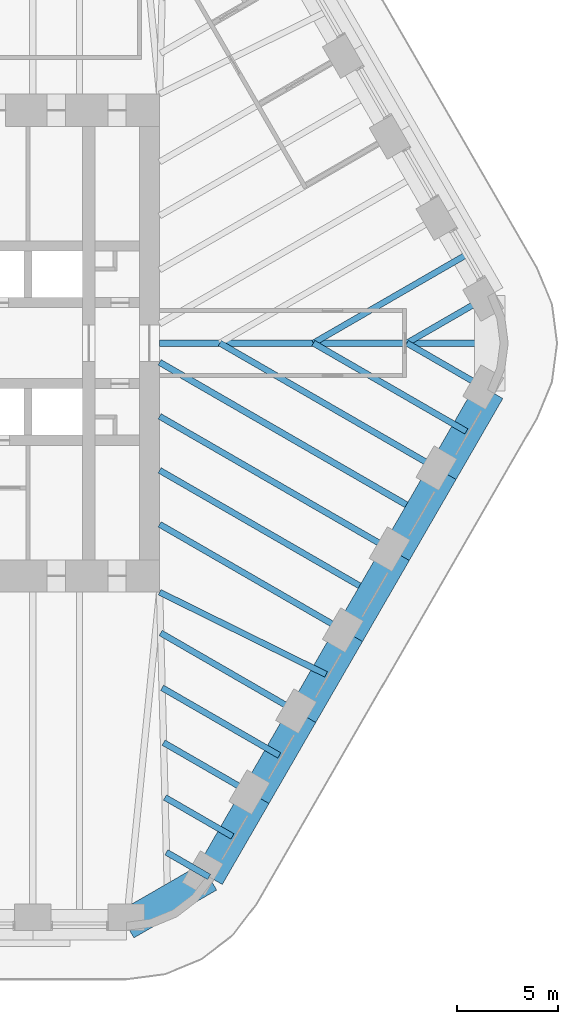
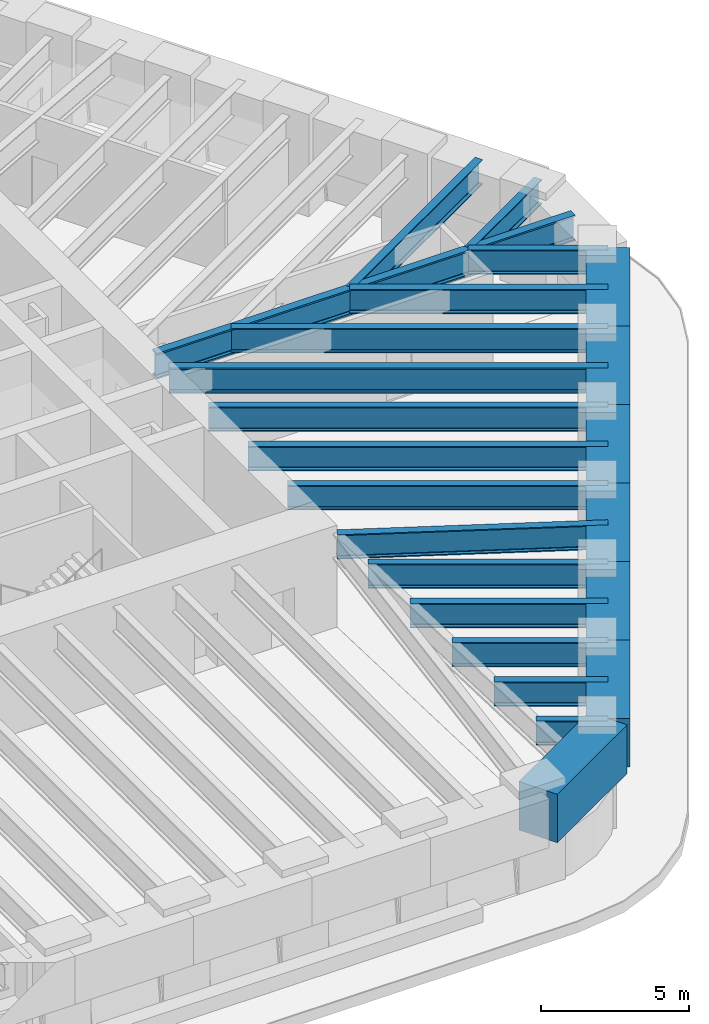
# One storey, part 3 of 12: 23 beams.
"""IFC4 building model written with IfcOpenShell, lengths in metres."""

from ifc_helpers import new_model, si_unit, direction, frame, origin, origin_2d, place, context, subcontext, project, spatial, rectangle, i_section, extrude, material, material_profile, profile_set, type_object, element, save


model = new_model("IFC4")

# Units and contexts
model_context = context("Model", 3, precision=1e-05, world=origin(), true_north=direction((0.0, 1.0)))
body_context = subcontext(model_context, "Body", "Model", "MODEL_VIEW")
ifc_project = project(units=[si_unit("LENGTHUNIT", "METRE"), si_unit("AREAUNIT", "SQUARE_METRE"), si_unit("VOLUMEUNIT", "CUBIC_METRE"), si_unit("PLANEANGLEUNIT", "RADIAN"), si_unit("MASSUNIT", "GRAM", prefix="KILO")], contexts=[model_context])

# Site, building, storey
site_placement = place(None, origin())
site = spatial("IfcSite", under=ifc_project, at=site_placement, CompositionType="ELEMENT")
building_placement = place(site_placement, origin())
building = spatial("IfcBuilding", under=site, at=building_placement, Name="Tarfa Lantern Tower", CompositionType="ELEMENT")
storey_placement = place(building_placement, frame((0.0, 0.0, 295.300048828125)))
storey = spatial("IfcBuildingStorey", under=building, at=storey_placement, Name="L67", CompositionType="ELEMENT", Elevation=295.300048828125)

# Beams
ifc_material_1 = material(Name="Concrete C80/95", Category="concrete")
ifc_material_profile_1 = material_profile(ifc_material_1, rectangle(XDim=1.5, YDim=2.0, at=origin_2d()), Name="RC 1500x2000")
ifc_profile_set_1 = profile_set([ifc_material_profile_1], Name="Concrete C80/95")
beam_type_1 = type_object("IfcBeamType", Name="RB3 RC 1500x2000", PredefinedType="BEAM", material=ifc_profile_set_1)
beam_1_placement = place(storey_placement, frame((13.8564453125, -28.719970703125, 2.89990234375), z_axis=(0.866038294681, 0.499977671647, 0.0), x_axis=(-0.499977671647, 0.866038294681, 0.0)))
element("IfcBeam", 1, at=beam_1_placement, inside=storey, type_object=beam_type_1, Name="Edge beam S6", PredefinedType="BEAM", context=body_context, shape_type="SweptSolid", body=[
    extrude(rectangle(XDim=1.5, YDim=2.0, at=origin_2d()), origin(), (0.0, 0.0, 1.0), 4.719970703125),
])
for number, where, z_axis, x_axis, name in (
    (2, (17.944091796875, -26.360107421875, 2.89990234375), (0.499987836815, 0.866032426089, 0.0), (-0.866032426089, 0.499987836815, 0.0), "Edge beam SE0"),
    (3, (20.25341796875, -22.360107421875, 2.89990234375), (0.499987836815, 0.866032426089, 0.0), (-0.866032426089, 0.499987836815, 0.0), "Edge beam SE1"),
):
    element("IfcBeam", number, at=place(storey_placement, frame(where, z_axis=z_axis, x_axis=x_axis)), inside=storey, type_object=beam_type_1, Name=name, PredefinedType="BEAM", context=body_context, shape_type="SweptSolid", body=[
        extrude(rectangle(XDim=1.5, YDim=2.0, at=origin_2d()), origin(), (0.0, 0.0, 1.0), 4.61865234375),
    ])
beam_2_placement = place(storey_placement, frame((22.562744140625, -18.360107421875, 2.89990234375), z_axis=(0.500027479704, 0.866009537788, 0.0), x_axis=(-0.866009537788, 0.500027479704, 0.0)))
element("IfcBeam", 4, at=beam_2_placement, inside=storey, type_object=beam_type_1, Name="Edge beam SE2", PredefinedType="BEAM", context=body_context, shape_type="SweptSolid", body=[
    extrude(rectangle(XDim=1.5, YDim=2.0, at=origin_2d()), origin(), (0.0, 0.0, 1.0), 4.618896484375),
])
for number, where, z_axis, x_axis, name in (
    (5, (24.872314453125, -14.360107421875, 2.89990234375), (0.499987836815, 0.866032426089, 0.0), (-0.866032426089, 0.499987836815, 0.0), "Edge beam SE3"),
    (6, (27.181640625, -10.360107421875, 2.89990234375), (0.499987836815, 0.866032426089, 0.0), (-0.866032426089, 0.499987836815, 0.0), "Edge beam SE4"),
):
    element("IfcBeam", number, at=place(storey_placement, frame(where, z_axis=z_axis, x_axis=x_axis)), inside=storey, type_object=beam_type_1, Name=name, PredefinedType="BEAM", context=body_context, shape_type="SweptSolid", body=[
        extrude(rectangle(XDim=1.5, YDim=2.0, at=origin_2d()), origin(), (0.0, 0.0, 1.0), 4.61865234375),
    ])
beam_3_placement = place(storey_placement, frame((29.490966796875, -6.360107421875, 2.89990234375), z_axis=(0.500027479704, 0.866009537788, 0.0), x_axis=(-0.866009537788, 0.500027479704, 0.0)))
element("IfcBeam", 7, at=beam_3_placement, inside=storey, type_object=beam_type_1, Name="Edge beam SE5", PredefinedType="BEAM", context=body_context, shape_type="SweptSolid", body=[
    extrude(rectangle(XDim=1.5, YDim=2.0, at=origin_2d()), origin(), (0.0, 0.0, 1.0), 4.618896484375),
])
ifc_material_2 = material(Name="Steel S460M", Category="steel")
ifc_material_profile_2 = material_profile(ifc_material_2, i_section(OverallWidth=0.302001953125, OverallDepth=1.008056640625, WebThickness=0.02099609375, FlangeThickness=0.0400390625, FilletRadius=0.030029296875, at=origin_2d()), Name="UB1016x305x349")
ifc_profile_set_2 = profile_set([ifc_material_profile_2], Name="Steel S460M")
beam_type_2 = type_object("IfcBeamType", Name="UB1016x305x349", PredefinedType="BEAM", material=ifc_profile_set_2)
beam_4_placement = place(storey_placement, frame((31.800537109375, 2.360107421875, 3.39599609375), z_axis=(-0.866015897305, -0.500016465344, 0.0), x_axis=(0.500016465344, -0.866015897305, 0.0)))
element("IfcBeam", 8, at=beam_4_placement, inside=storey, type_object=beam_type_2, Name="Floor beam NE0", PredefinedType="BEAM", context=body_context, shape_type="SweptSolid", body=[
    extrude(i_section(OverallWidth=0.302001953125, OverallDepth=1.008056640625, WebThickness=0.02099609375, FlangeThickness=0.0400390625, FilletRadius=0.030029296875, at=origin_2d()), origin(), (0.0, 0.0, 1.0), 4.719970703125),
])
beam_5_placement = place(storey_placement, frame((17.944091796875, -26.360107421875, 3.39599609375), z_axis=(-0.865980009423, 0.5000786171, 0.0), x_axis=(-0.5000786171, -0.865980009423, 0.0)))
element("IfcBeam", 9, at=beam_5_placement, inside=storey, type_object=beam_type_2, Name="Floor beam SE0", PredefinedType="BEAM", context=body_context, shape_type="SweptSolid", body=[
    extrude(i_section(OverallWidth=0.302001953125, OverallDepth=1.008056640625, WebThickness=0.02099609375, FlangeThickness=0.0400390625, FilletRadius=0.030029296875, at=origin_2d()), origin(), (0.0, 0.0, 1.0), 2.4326171875),
])
beam_6_placement = place(storey_placement, frame((20.25341796875, -22.360107421875, 3.39599609375), z_axis=(-0.86601951648, 0.500010196972, 0.0), x_axis=(-0.500010196972, -0.86601951648, 0.0)))
element("IfcBeam", 10, at=beam_6_placement, inside=storey, type_object=beam_type_2, Name="Floor beam SE1", PredefinedType="BEAM", context=body_context, shape_type="SweptSolid", body=[
    extrude(i_section(OverallWidth=0.302001953125, OverallDepth=1.008056640625, WebThickness=0.02099609375, FlangeThickness=0.0400390625, FilletRadius=0.030029296875, at=origin_2d()), origin(), (0.0, 0.0, 1.0), 5.263671875),
])
beam_7_placement = place(storey_placement, frame((22.562744140625, -18.360107421875, 3.39599609375), z_axis=(-0.866010787764, 0.500025314835, 0.0), x_axis=(-0.500025314835, -0.866010787764, 0.0)))
element("IfcBeam", 11, at=beam_7_placement, inside=storey, type_object=beam_type_2, Name="Floor beam SE2", PredefinedType="BEAM", context=body_context, shape_type="SweptSolid", body=[
    extrude(i_section(OverallWidth=0.302001953125, OverallDepth=1.008056640625, WebThickness=0.02099609375, FlangeThickness=0.0400390625, FilletRadius=0.030029296875, at=origin_2d()), origin(), (0.0, 0.0, 1.0), 8.09423828125),
])
beam_8_placement = place(storey_placement, frame((24.872314453125, -14.360107421875, 3.39599609375), z_axis=(-0.8660244219, 0.500001700669, 0.0), x_axis=(-0.500001700669, -0.8660244219, 0.0)))
element("IfcBeam", 12, at=beam_8_placement, inside=storey, type_object=beam_type_2, Name="Floor beam SE3", PredefinedType="BEAM", context=body_context, shape_type="SweptSolid", body=[
    extrude(i_section(OverallWidth=0.302001953125, OverallDepth=1.008056640625, WebThickness=0.02099609375, FlangeThickness=0.0400390625, FilletRadius=0.030029296875, at=origin_2d()), origin(), (0.0, 0.0, 1.0), 10.822265625),
])
beam_9_placement = place(storey_placement, frame((27.181640625, -10.360107421875, 3.39599609375), z_axis=(-0.866018002818, 0.500012818631, 0.0), x_axis=(-0.500012818631, -0.866018002818, 0.0)))
element("IfcBeam", 13, at=beam_9_placement, inside=storey, type_object=beam_type_2, Name="Floor beam SE4", PredefinedType="BEAM", context=body_context, shape_type="SweptSolid", body=[
    extrude(i_section(OverallWidth=0.302001953125, OverallDepth=1.008056640625, WebThickness=0.02099609375, FlangeThickness=0.0400390625, FilletRadius=0.030029296875, at=origin_2d()), origin(), (0.0, 0.0, 1.0), 13.489013671875),
])
beam_10_placement = place(storey_placement, frame((29.490966796875, -6.360107421875, 3.39599609375), z_axis=(-0.866022258038, 0.500005448553, 0.0), x_axis=(-0.500005448553, -0.866022258038, 0.0)))
element("IfcBeam", 14, at=beam_10_placement, inside=storey, type_object=beam_type_2, Name="Floor beam SE5", PredefinedType="BEAM", context=body_context, shape_type="SweptSolid", body=[
    extrude(i_section(OverallWidth=0.302001953125, OverallDepth=1.008056640625, WebThickness=0.02099609375, FlangeThickness=0.0400390625, FilletRadius=0.030029296875, at=origin_2d()), origin(), (0.0, 0.0, 1.0), 12.719970703125),
])
beam_11_placement = place(storey_placement, frame((31.800537109375, -2.360107421875, 3.39599609375), z_axis=(-0.866015897305, 0.500016465344, 0.0), x_axis=(-0.500016465344, -0.866015897305, 0.0)))
element("IfcBeam", 15, at=beam_11_placement, inside=storey, type_object=beam_type_2, Name="Floor beam SE6", PredefinedType="BEAM", context=body_context, shape_type="SweptSolid", body=[
    extrude(i_section(OverallWidth=0.302001953125, OverallDepth=1.008056640625, WebThickness=0.02099609375, FlangeThickness=0.0400390625, FilletRadius=0.030029296875, at=origin_2d()), origin(), (0.0, 0.0, 1.0), 4.719970703125),
])
beam_12_placement = place(storey_placement, frame((30.645751953125, 4.360107421875, 3.39599609375), z_axis=(-0.866020536561, -0.500008430184, 0.0), x_axis=(0.500008430184, -0.866020536561, 0.0)))
element("IfcBeam", 16, at=beam_12_placement, inside=storey, type_object=beam_type_2, Name="Floor beam NE0M", PredefinedType="BEAM", context=body_context, shape_type="SweptSolid", body=[
    extrude(i_section(OverallWidth=0.302001953125, OverallDepth=1.008056640625, WebThickness=0.02099609375, FlangeThickness=0.0400390625, FilletRadius=0.030029296875, at=origin_2d()), origin(), (0.0, 0.0, 1.0), 8.719970703125),
])
beam_13_placement = place(storey_placement, frame((19.0986328125, -24.360107421875, 3.39599609375), z_axis=(-0.866020765707, 0.500008033299, 0.0), x_axis=(-0.500008033299, -0.866020765707, 0.0)))
element("IfcBeam", 17, at=beam_13_placement, inside=storey, type_object=beam_type_2, Name="Floor beam SE0M", PredefinedType="BEAM", context=body_context, shape_type="SweptSolid", body=[
    extrude(i_section(OverallWidth=0.302001953125, OverallDepth=1.008056640625, WebThickness=0.02099609375, FlangeThickness=0.0400390625, FilletRadius=0.030029296875, at=origin_2d()), origin(), (0.0, 0.0, 1.0), 3.84814453125),
])
beam_14_placement = place(storey_placement, frame((21.408203125, -20.360107421875, 3.39599609375), z_axis=(-0.866018796745, 0.500011443554, 0.0), x_axis=(-0.500011443554, -0.866018796745, 0.0)))
element("IfcBeam", 18, at=beam_14_placement, inside=storey, type_object=beam_type_2, Name="Floor beam SE1M", PredefinedType="BEAM", context=body_context, shape_type="SweptSolid", body=[
    extrude(i_section(OverallWidth=0.302001953125, OverallDepth=1.008056640625, WebThickness=0.02099609375, FlangeThickness=0.0400390625, FilletRadius=0.030029296875, at=origin_2d()), origin(), (0.0, 0.0, 1.0), 6.678955078125),
])
beam_15_placement = place(storey_placement, frame((23.717529296875, -16.360107421875, 3.39599609375), z_axis=(-0.896542644816, 0.442957431394, 0.0), x_axis=(-0.442957431394, -0.896542644816, 0.0)))
element("IfcBeam", 19, at=beam_15_placement, inside=storey, type_object=beam_type_2, Name="Floor beam SE2M", PredefinedType="BEAM", context=body_context, shape_type="SweptSolid", body=[
    extrude(i_section(OverallWidth=0.302001953125, OverallDepth=1.008056640625, WebThickness=0.02099609375, FlangeThickness=0.0400390625, FilletRadius=0.030029296875, at=origin_2d()), origin(), (0.0, 0.0, 1.0), 9.165771484375),
])
beam_16_placement = place(storey_placement, frame((26.02685546875, -12.360107421875, 3.39599609375), z_axis=(-0.866018349627, 0.500012217959, 0.0), x_axis=(-0.500012217959, -0.866018349627, 0.0)))
element("IfcBeam", 20, at=beam_16_placement, inside=storey, type_object=beam_type_2, Name="Floor beam SE3M", PredefinedType="BEAM", context=body_context, shape_type="SweptSolid", body=[
    extrude(i_section(OverallWidth=0.302001953125, OverallDepth=1.008056640625, WebThickness=0.02099609375, FlangeThickness=0.0400390625, FilletRadius=0.030029296875, at=origin_2d()), origin(), (0.0, 0.0, 1.0), 12.155517578125),
])
beam_17_placement = place(storey_placement, frame((30.645751953125, -4.360107421875, 3.39599609375), z_axis=(-0.866020536561, 0.500008430184, 0.0), x_axis=(-0.500008430184, -0.866020536561, 0.0)))
element("IfcBeam", 21, at=beam_17_placement, inside=storey, type_object=beam_type_2, Name="Floor beam SE5M", PredefinedType="BEAM", context=body_context, shape_type="SweptSolid", body=[
    extrude(i_section(OverallWidth=0.302001953125, OverallDepth=1.008056640625, WebThickness=0.02099609375, FlangeThickness=0.0400390625, FilletRadius=0.030029296875, at=origin_2d()), origin(), (0.0, 0.0, 1.0), 8.719970703125),
])
ifc_material_profile_3 = material_profile(ifc_material_2, i_section(OverallWidth=0.314208984375, OverallDepth=1.055908203125, WebThickness=0.035888671875, FlangeThickness=0.06396484375, FilletRadius=0.030029296875, at=origin_2d()), Name="UB1016x305x584")
ifc_profile_set_3 = profile_set([ifc_material_profile_3], Name="Steel S460M")
beam_type_3 = type_object("IfcBeamType", Name="UB1016x305x584", PredefinedType="BEAM", material=ifc_profile_set_3)
beam_18_placement = place(storey_placement, frame((15.5, 0.0, 3.3720703125), z_axis=(1.0, 0.0, 0.0), x_axis=(0.0, 1.0, 0.0)))
element("IfcBeam", 22, at=beam_18_placement, inside=storey, type_object=beam_type_3, Name="Hip girder E", PredefinedType="BEAM", context=body_context, shape_type="SweptSolid", body=[
    extrude(i_section(OverallWidth=0.314208984375, OverallDepth=1.055908203125, WebThickness=0.035888671875, FlangeThickness=0.06396484375, FilletRadius=0.030029296875, at=origin_2d()), origin(), (0.0, 0.0, 1.0), 16.300537109375),
])
beam_19_placement = place(storey_placement, frame((28.33642578125, -8.360107421875, 3.3720703125), z_axis=(-0.866024850702, 0.500000957966, 0.0), x_axis=(-0.500000957966, -0.866024850702, 0.0)))
element("IfcBeam", 23, at=beam_19_placement, inside=storey, type_object=beam_type_3, Name="Floor beam SE4M", PredefinedType="BEAM", context=body_context, shape_type="SweptSolid", body=[
    extrude(i_section(OverallWidth=0.314208984375, OverallDepth=1.055908203125, WebThickness=0.035888671875, FlangeThickness=0.06396484375, FilletRadius=0.030029296875, at=origin_2d()), origin(), (0.0, 0.0, 1.0), 14.822265625),
])

save(model, "model.ifc")
